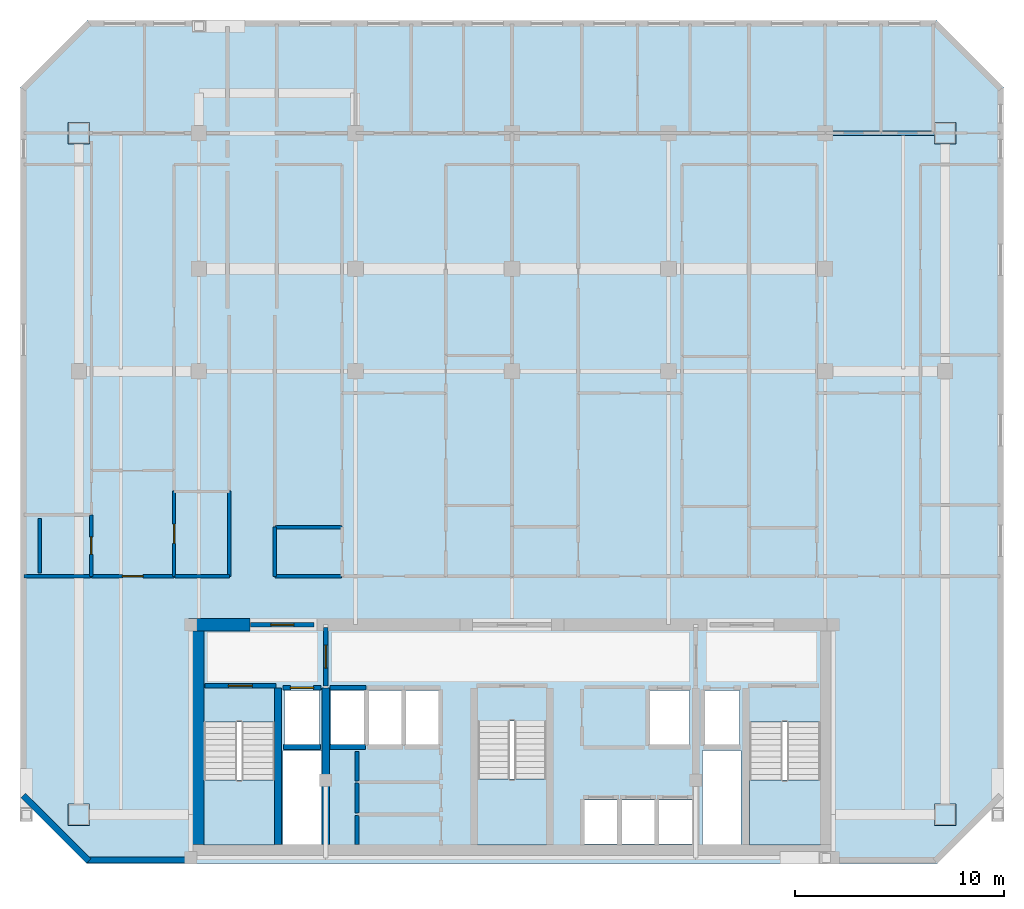
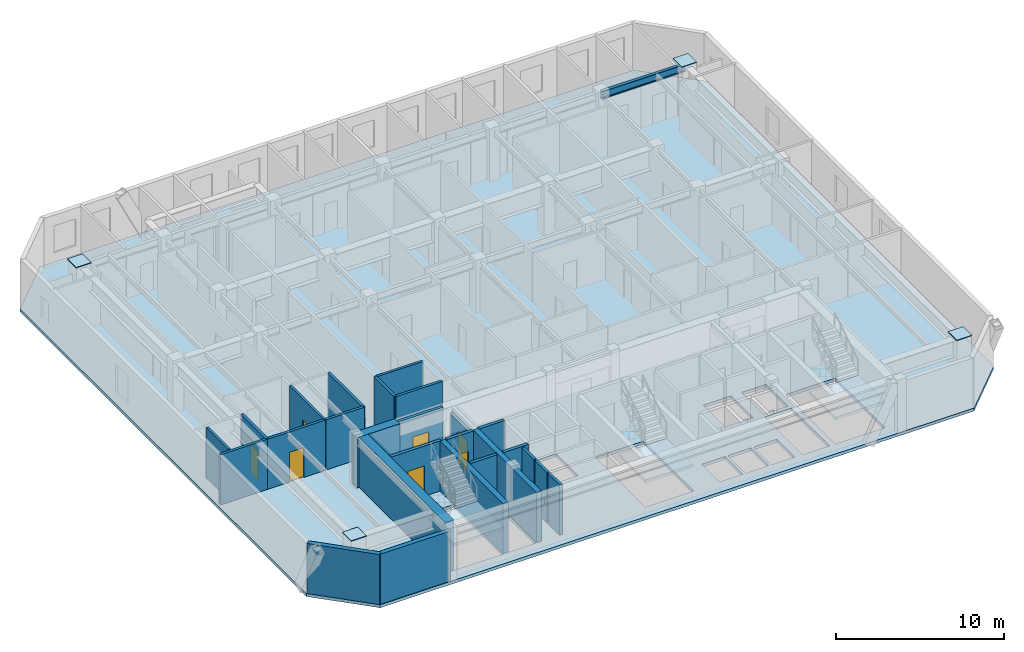
# One storey, part 2 of 9: 26 walls, 7 doors, 4 plates, 4 slabs, 1 beam, 7 openings, 3 elements without a shape of their own.
"""IFC4 building model written with IfcOpenShell, lengths in metres."""

from ifc_helpers import new_model, si_unit, direction, frame, frame_2d, origin, origin_2d, place, context, subcontext, project, spatial, polyline, rectangle, i_section, outline, extrude, material, layer, layer_set, material_profile, profile_set, type_object, element, fill, aggregate, save


model = new_model("IFC4")

# Units and contexts
model_context = context("Model", 3, precision=1e-05, world=origin(), true_north=direction((0.0, 1.0)))
body_context = subcontext(model_context, "Body", "Model", "MODEL_VIEW")
ifc_project = project(units=[si_unit("LENGTHUNIT", "METRE"), si_unit("AREAUNIT", "SQUARE_METRE"), si_unit("VOLUMEUNIT", "CUBIC_METRE"), si_unit("PLANEANGLEUNIT", "RADIAN"), si_unit("MASSUNIT", "GRAM", prefix="KILO")], contexts=[model_context])

# Site, building, storey
site_placement = place(None, origin())
site = spatial("IfcSite", under=ifc_project, at=site_placement, CompositionType="ELEMENT")
building_placement = place(site_placement, origin())
building = spatial("IfcBuilding", under=site, at=building_placement, Name="Ventersveld Concourse Tower", CompositionType="ELEMENT")
storey_placement = place(building_placement, frame((0.0, 0.0, 215.699951171875)))
storey = spatial("IfcBuildingStorey", under=building, at=storey_placement, Name="L53", CompositionType="ELEMENT", Elevation=215.699951171875)

# Beam
ifc_material_1 = material(Name="Structural steel S355J2", Category="steel")
ifc_material_profile = material_profile(ifc_material_1, i_section(OverallWidth=0.2119140625, OverallDepth=0.54443359375, WebThickness=0.0126953125, FlangeThickness=0.021240234375, FilletRadius=0.0126953125, at=origin_2d()), Name="UB 533x210x122")
ifc_profile_set = profile_set([ifc_material_profile], Name="Structural steel S355J2")
beam_type = type_object("IfcBeamType", Name="GRD-UB533H", PredefinedType="T_BEAM", material=ifc_profile_set)
beam_placement = place(storey_placement, frame((43.75, 35.0, 3.357666015625), z_axis=(1.0, 0.0, 0.0), x_axis=(0.0, 1.0, 0.0)))
element("IfcBeam", 1, at=beam_placement, inside=storey, type_object=beam_type, Name="L53 E-W Grid Girder Y=35.00 #6", PredefinedType="T_BEAM", context=body_context, shape_type="SweptSolid", body=[
    extrude(i_section(OverallWidth=0.2119140625, OverallDepth=0.54443359375, WebThickness=0.0126953125, FlangeThickness=0.021240234375, FilletRadius=0.0126953125, at=origin_2d()), origin(), (0.0, 0.0, 1.0), 5.75),
])

# Plates
ifc_layer_1 = layer(ifc_material_1, 0.050048828125)
ifc_layer_set_1 = layer_set([ifc_layer_1], Name="Structural steel S355J2")
plate_type = type_object("IfcPlateType", Name="PL-MAST-BASE-50", PredefinedType="USERDEFINED", material=ifc_layer_set_1)
for number, where, z_axis, x_axis, name in (
    (2, (8.0, 2.35009765625, 3.7998046875), (0.0, 0.0, 1.0), (1.0, 0.0, 0.0), "L53 Hollow Column Steel End Cap Plate 023"),
    (3, (49.5, 2.35009765625, 3.7998046875), (0.0, 0.0, 1.0), (1.0, 0.0, 0.0), "L53 Hollow Column Steel End Cap Plate 024"),
    (4, (49.5, 35.0, 3.7998046875), (0.0, 0.0, 1.0), (1.0, 0.0, 0.0), "L53 Hollow Column Steel End Cap Plate 025"),
    (5, (8.0, 35.0, 3.7998046875), (0.0, 0.0, 1.0), (1.0, 0.0, 0.0), "L53 Hollow Column Steel End Cap Plate 026"),
):
    element("IfcPlate", number, at=place(storey_placement, frame(where, z_axis=z_axis, x_axis=x_axis)), inside=storey, type_object=plate_type, Name=name, ObjectType="GUSSET_PLATE", PredefinedType="USERDEFINED", context=body_context, shape_type="SweptSolid", body=[
        extrude(rectangle(XDim=1.0400390625, YDim=1.0400390625, at=origin_2d()), origin(), (0.0, 0.0, 1.0), 0.050048828125),
    ])

# Slab
ifc_material_2 = material(Name="Concrete C50/60", Category="concrete")
ifc_layer_2 = layer(ifc_material_2, 0.219970703125)
ifc_layer_set_2 = layer_set([ifc_layer_2], Name="Concrete C50/60")
slab_type_1 = type_object("IfcSlabType", Name="SL-FLR-220", PredefinedType="FLOOR", material=ifc_layer_set_2)
slab_1_placement = place(storey_placement, frame((0.0, 0.0, -0.219970703125)))
element("IfcSlab", 6, at=slab_1_placement, inside=storey, type_object=slab_type_1, Name="L53 Composite Floor Slab", PredefinedType="FLOOR", context=body_context, shape_type="SweptSolid", body=[
    extrude(outline(polyline([(8.39990234375, 0.0), (49.10009765625, 0.0), (52.300048828125, 3.199951171875), (52.300048828125, 37.199951171875), (49.10009765625, 40.39990234375), (8.39990234375, 40.39990234375), (5.199951171875, 37.199951171875), (5.199951171875, 3.199951171875), (8.39990234375, 0.0)]), holes=[polyline([(13.97998046875, 6.794921875), (13.97998046875, 0.89990234375), (17.3798828125, 0.89990234375), (17.3798828125, 6.794921875), (13.97998046875, 6.794921875)]), polyline([(40.1201171875, 6.794921875), (40.1201171875, 0.89990234375), (43.52001953125, 0.89990234375), (43.52001953125, 6.794921875), (40.1201171875, 6.794921875)]), polyline([(27.10009765625, 6.844970703125), (27.10009765625, 0.89990234375), (30.39990234375, 0.89990234375), (30.39990234375, 6.844970703125), (27.10009765625, 6.844970703125)]), polyline([(17.85009765625, 5.699951171875), (19.530029296875, 5.699951171875), (19.530029296875, 8.300048828125), (17.85009765625, 8.300048828125), (17.85009765625, 5.699951171875)]), polyline([(37.969970703125, 5.699951171875), (39.64990234375, 5.699951171875), (39.64990234375, 8.300048828125), (37.969970703125, 8.300048828125), (37.969970703125, 5.699951171875)]), polyline([(35.35009765625, 5.699951171875), (37.25, 5.699951171875), (37.25, 8.300048828125), (35.35009765625, 8.300048828125), (35.35009765625, 5.699951171875)]), polyline([(32.2099609375, 0.949951171875), (33.81005859375, 0.949951171875), (33.81005859375, 3.050048828125), (32.2099609375, 3.050048828125), (32.2099609375, 0.949951171875)]), polyline([(33.989990234375, 0.949951171875), (35.590087890625, 0.949951171875), (35.590087890625, 3.050048828125), (33.989990234375, 3.050048828125), (33.989990234375, 0.949951171875)]), polyline([(35.77001953125, 0.949951171875), (37.3701171875, 0.949951171875), (37.3701171875, 3.050048828125), (35.77001953125, 3.050048828125), (35.77001953125, 0.949951171875)]), polyline([(20.090087890625, 5.699951171875), (21.68994140625, 5.699951171875), (21.68994140625, 8.300048828125), (20.090087890625, 8.300048828125), (20.090087890625, 5.699951171875)]), polyline([(21.8701171875, 5.699951171875), (23.469970703125, 5.699951171875), (23.469970703125, 8.300048828125), (21.8701171875, 8.300048828125), (21.8701171875, 5.699951171875)]), polyline([(23.64990234375, 5.699951171875), (25.25, 5.699951171875), (25.25, 8.300048828125), (23.64990234375, 8.300048828125), (23.64990234375, 5.699951171875)]), polyline([(17.780029296875, 0.919921875), (19.6201171875, 0.919921875), (19.6201171875, 5.419921875), (17.780029296875, 5.419921875), (17.780029296875, 0.919921875)]), polyline([(37.8798828125, 0.919921875), (39.719970703125, 0.919921875), (39.719970703125, 5.419921875), (37.8798828125, 5.419921875), (37.8798828125, 0.919921875)])]), origin(), (0.0, 0.0, 1.0), 0.219970703125),
])

# Stair, slab
stair_type_1 = type_object("IfcStairType", Name="ST-DOG-160", PredefinedType="HALF_TURN_STAIR", material=ifc_material_2)
stair_1_placement = place(storey_placement, origin())
stair_1 = element("IfcStair", 7, at=stair_1_placement, inside=storey, type_object=stair_type_1, Name="L53 Protected Tower Escape Stair ST-01", PredefinedType="HALF_TURN_STAIR")
ifc_layer_3 = layer(ifc_material_2, 0.199951171875)
ifc_layer_set_3 = layer_set([ifc_layer_3], Name="Concrete C50/60")
slab_type_2 = type_object("IfcSlabType", Name="SL-LND-200", PredefinedType="LANDING", material=ifc_layer_set_3)
slab_2_placement = place(storey_placement, frame((0.0, 0.0, 1.72509765625)))
slab_2 = element("IfcSlab", 8, at=slab_2_placement, type_object=slab_type_2, Name="ST-01 landing 1", PredefinedType="LANDING", context=body_context, shape_type="SweptSolid", body=[
    extrude(outline(polyline([(13.97998046875, 4.0), (13.97998046875, 0.89990234375), (17.3798828125, 0.89990234375), (17.3798828125, 4.0), (13.97998046875, 4.0)])), origin(), (0.0, 0.0, 1.0), 0.199951171875),
])
aggregate(stair_1, [slab_2])

stair_2_placement = place(storey_placement, origin())
stair_2 = element("IfcStair", 9, at=stair_2_placement, inside=storey, type_object=stair_type_1, Name="L53 Protected Tower Escape Stair ST-02", PredefinedType="HALF_TURN_STAIR")
slab_3_placement = place(storey_placement, frame((0.0, 0.0, 1.72509765625)))
slab_3 = element("IfcSlab", 10, at=slab_3_placement, type_object=slab_type_2, Name="ST-02 landing 1", PredefinedType="LANDING", context=body_context, shape_type="SweptSolid", body=[
    extrude(outline(polyline([(40.1201171875, 4.0), (40.1201171875, 0.89990234375), (43.52001953125, 0.89990234375), (43.52001953125, 4.0), (40.1201171875, 4.0)])), origin(), (0.0, 0.0, 1.0), 0.199951171875),
])
aggregate(stair_2, [slab_3])

stair_type_2 = type_object("IfcStairType", Name="ST-DOG-155", PredefinedType="HALF_TURN_STAIR", material=ifc_material_2)
stair_3_placement = place(storey_placement, origin())
stair_3 = element("IfcStair", 11, at=stair_3_placement, inside=storey, type_object=stair_type_2, Name="L53 Protected Central Core Escape Stair ST-03", PredefinedType="HALF_TURN_STAIR")
slab_4_placement = place(storey_placement, frame((0.0, 0.0, 1.72509765625)))
slab_4 = element("IfcSlab", 12, at=slab_4_placement, type_object=slab_type_2, Name="ST-03 landing 1", PredefinedType="LANDING", context=body_context, shape_type="SweptSolid", body=[
    extrude(outline(polyline([(27.10009765625, 4.050048828125), (27.10009765625, 0.89990234375), (30.39990234375, 0.89990234375), (30.39990234375, 4.050048828125), (27.10009765625, 4.050048828125)])), origin(), (0.0, 0.0, 1.0), 0.199951171875),
])
aggregate(stair_3, [slab_4])

# Walls
ifc_layer_4 = layer(ifc_material_2, 0.35009765625)
ifc_layer_set_4 = layer_set([ifc_layer_4], Name="Concrete C50/60")
wall_type_1 = type_object("IfcWallType", Name="WL-CORE-350U", PredefinedType="SHEAR", material=ifc_layer_set_4)
for number, where, z_axis, x_axis, name in (
    (13, (17.5400390625, 0.919921875, 0.0), (0.0, 0.0, 1.0), (0.0, 1.0, 0.0), "L53 Core Internal Shear Web W-ST1-E"),
    (14, (19.820068359375, 0.919921875, 0.0), (0.0, 0.0, 1.0), (0.0, 1.0, 0.0), "L53 Core Internal Shear Web W-FF1-E"),
):
    element("IfcWall", number, at=place(storey_placement, frame(where, z_axis=z_axis, x_axis=x_axis)), inside=storey, type_object=wall_type_1, Name=name, PredefinedType="SHEAR", context=body_context, shape_type="SweptSolid", body=[
        extrude(rectangle(XDim=7.5, YDim=0.35009765625, at=frame_2d((3.75, 0.0))), origin(), (0.0, 0.0, 1.0), 3.630126953125),
    ])
ifc_layer_5 = layer(ifc_material_2, 0.60009765625)
ifc_layer_set_5 = layer_set([ifc_layer_5], Name="Concrete C50/60")
wall_type_2 = type_object("IfcWallType", Name="WL-CORE-600", PredefinedType="SHEAR", material=ifc_layer_set_5)
wall_1_placement = place(storey_placement, frame((13.699951171875, 0.919921875, 0.0), z_axis=(0.0, 0.0, 1.0), x_axis=(0.0, 1.0, 0.0)))
element("IfcWall", 15, at=wall_1_placement, inside=storey, type_object=wall_type_2, Name="L53 Rear Core West Shear Wall", PredefinedType="SHEAR", context=body_context, shape_type="SweptSolid", body=[
    extrude(rectangle(XDim=10.530029296875, YDim=0.60009765625, at=frame_2d((5.26513671875, 0.0))), origin(), (0.0, 0.0, 1.0), 3.630126953125),
])
wall_2_placement = place(storey_placement, frame((13.25, 11.449951171875, 0.0), z_axis=(0.0, 0.0, 1.0), x_axis=(1.0, 0.0, 0.0)))
element("IfcWall", 16, at=wall_2_placement, inside=storey, type_object=wall_type_2, Name="L53 Rear Core North Shear Wall NW", PredefinedType="SHEAR", context=body_context, shape_type="SweptSolid", body=[
    extrude(rectangle(XDim=2.949951171875, YDim=0.60009765625, at=frame_2d((1.47509765625, 0.0))), origin(), (0.0, 0.0, 1.0), 3.630126953125),
])
ifc_material_3 = material(Name="Fire-rated autoclaved aerated masonry blockwork", Category="masonry")
ifc_layer_6 = layer(ifc_material_3, 0.179931640625)
ifc_layer_set_6 = layer_set([ifc_layer_6], Name="Fire-rated autoclaved aerated masonry blockwork")
wall_type_3 = type_object("IfcWallType", Name="WL-CORR-180", PredefinedType="PARTITIONING", material=ifc_layer_set_6)
wall_3_placement = place(storey_placement, frame((21.320068359375, 0.909912109375, 0.0), z_axis=(0.0, 0.0, 1.0), x_axis=(0.0, 1.0, 0.0)))
element("IfcWall", 17, at=wall_3_placement, inside=storey, type_object=wall_type_3, Name="L53 Core West Wall SP-L53-RECB1S", PredefinedType="PARTITIONING", context=body_context, shape_type="SweptSolid", body=[
    extrude(rectangle(XDim=1.41015625, YDim=0.179931640625, at=frame_2d((0.705078125, 0.0))), origin(), (0.0, 0.0, 1.0), 3.630126953125),
])
wall_4_placement = place(storey_placement, frame((21.320068359375, 2.419921875, 0.0), z_axis=(0.0, 0.0, 1.0), x_axis=(0.0, 1.0, 0.0)))
element("IfcWall", 18, at=wall_4_placement, inside=storey, type_object=wall_type_3, Name="L53 Core West Wall SP-L53-RECB1M", PredefinedType="PARTITIONING", context=body_context, shape_type="SweptSolid", body=[
    extrude(rectangle(XDim=1.440185546875, YDim=0.179931640625, at=frame_2d((0.72021484375, 0.0))), origin(), (0.0, 0.0, 1.0), 3.630126953125),
])
wall_5_placement = place(storey_placement, frame((21.320068359375, 3.9599609375, 0.0), z_axis=(0.0, 0.0, 1.0), x_axis=(0.0, 1.0, 0.0)))
element("IfcWall", 19, at=wall_5_placement, inside=storey, type_object=wall_type_3, Name="L53 Core West Wall SP-L53-RECB1N", PredefinedType="PARTITIONING", context=body_context, shape_type="SweptSolid", body=[
    extrude(rectangle(XDim=1.419921875, YDim=0.179931640625, at=frame_2d((0.7099609375, 0.0))), origin(), (0.0, 0.0, 1.0), 3.630126953125),
])

# Wall, opening, door
wall_6_placement = place(storey_placement, frame((8.59765625, 13.77001953125, 0.0), z_axis=(0.0, 0.0, 1.0), x_axis=(1.0, 0.0, 0.0)))
wall_6 = element("IfcWall", 20, at=wall_6_placement, inside=storey, type_object=wall_type_3, Name="L53 Interior Partition SP-L53-COR-SP-L53-53NW-FOY", PredefinedType="PARTITIONING", context=body_context, shape_type="SweptSolid", body=[
    extrude(rectangle(XDim=3.969970703125, YDim=0.179931640625, at=frame_2d((1.98486328125, 0.0))), origin(), (0.0, 0.0, 1.0), 3.630126953125),
])
opening_1_placement = place(wall_6_placement, frame((1.485107421875, 0.0, 0.0)))
opening_1 = element("IfcOpeningElement", 21, at=opening_1_placement, cuts=wall_6, Name="Opening FD3", PredefinedType="OPENING", context=body_context, shape_type="SweptSolid", body=[
    extrude(rectangle(XDim=1.0, YDim=2.14990234375, at=frame_2d((0.5, 1.074951171875))), frame((0.0, 0.10009765625, 0.0), z_axis=(0.0, -1.0, 0.0), x_axis=(1.0, 0.0, 0.0)), (0.0, 0.0, 1.0), 0.199951171875),
])
ifc_material_4 = material(Name="Solid-core hardwood veneer timber", Category="wood")
door_type_1 = type_object("IfcDoorType", Name="DR-FLAT-100", OperationType="NOTDEFINED", PredefinedType="DOOR", material=ifc_material_4)
door_1_placement = place(opening_1_placement, origin())
door_1 = element("IfcDoor", 22, at=door_1_placement, inside=storey, type_object=door_type_1, Name="L53 Interior Door SP-L53-COR to SP-L53-53NW-FOY (FD-L53-2565)", OperationType="SINGLE_SWING_LEFT", OverallHeight=2.14990234375, OverallWidth=1.0, PredefinedType="DOOR", context=body_context, shape_type="SweptSolid", body=[
    extrude(rectangle(XDim=1.0, YDim=2.14990234375, at=frame_2d((0.5, 1.074951171875))), frame((0.0, 0.02490234375, 0.0), z_axis=(0.0, -1.0, 0.0), x_axis=(1.0, 0.0, 0.0)), (0.0, 0.0, 1.0), 0.050048828125),
])
fill(opening_1, door_1)

# Walls
wall_7_placement = place(storey_placement, frame((5.37255859375, 13.77001953125, 0.0), z_axis=(0.0, 0.0, 1.0), x_axis=(1.0, 0.0, 0.0)))
element("IfcWall", 23, at=wall_7_placement, inside=storey, type_object=wall_type_3, Name="L53 Interior Partition SP-L53-COR-SP-L53-53NW-BATH", PredefinedType="PARTITIONING", context=body_context, shape_type="SweptSolid", body=[
    extrude(rectangle(XDim=3.195068359375, YDim=0.179931640625, at=frame_2d((1.59765625, 0.0))), origin(), (0.0, 0.0, 1.0), 3.630126953125),
])
wall_8_placement = place(storey_placement, frame((15.2099609375, 13.764892578125, 0.0), z_axis=(0.0, 0.0, 1.0), x_axis=(0.0, 1.0, 0.0)))
element("IfcWall", 24, at=wall_8_placement, inside=storey, type_object=wall_type_3, Name="L53 Interior Partition SP-L53-COR-SP-L53-53NW-KIT", PredefinedType="PARTITIONING", context=body_context, shape_type="SweptSolid", body=[
    extrude(rectangle(XDim=4.080810546875, YDim=0.179931640625, at=frame_2d((2.04052734375, 0.0))), origin(), (0.0, 0.0, 1.0), 3.630126953125),
])
wall_9_placement = place(storey_placement, frame((12.59765625, 13.77001953125, 0.0), z_axis=(0.0, 0.0, 1.0), x_axis=(1.0, 0.0, 0.0)))
element("IfcWall", 25, at=wall_9_placement, inside=storey, type_object=wall_type_3, Name="L53 Interior Partition SP-L53-COR-SP-L53-53NW-KIT", PredefinedType="PARTITIONING", context=body_context, shape_type="SweptSolid", body=[
    extrude(rectangle(XDim=2.617431640625, YDim=0.179931640625, at=frame_2d((1.30859375, 0.0))), origin(), (0.0, 0.0, 1.0), 3.630126953125),
])
wall_10_placement = place(storey_placement, frame((17.385009765625, 13.77001953125, 0.0), z_axis=(0.0, 0.0, 1.0), x_axis=(1.0, 0.0, 0.0)))
element("IfcWall", 26, at=wall_10_placement, inside=storey, type_object=wall_type_3, Name="L53 Interior Partition SP-L53-COR-SP-L53-53N1-BATH", PredefinedType="PARTITIONING", context=body_context, shape_type="SweptSolid", body=[
    extrude(rectangle(XDim=3.19189453125, YDim=0.179931640625, at=frame_2d((1.595947265625, 0.0))), origin(), (0.0, 0.0, 1.0), 3.630126953125),
])
wall_11_placement = place(storey_placement, frame((17.389892578125, 13.764892578125, 0.0), z_axis=(0.0, 0.0, 1.0), x_axis=(0.0, 1.0, 0.0)))
element("IfcWall", 27, at=wall_11_placement, inside=storey, type_object=wall_type_3, Name="L53 Interior Partition SP-L53-COR-SP-L53-53N1-BATH", PredefinedType="PARTITIONING", context=body_context, shape_type="SweptSolid", body=[
    extrude(rectangle(XDim=2.35986328125, YDim=0.179931640625, at=frame_2d((1.179931640625, 0.0))), origin(), (0.0, 0.0, 1.0), 3.630126953125),
])
ifc_layer_7 = layer(ifc_material_3, 0.219970703125)
ifc_layer_set_7 = layer_set([ifc_layer_7], Name="Fire-rated autoclaved aerated masonry blockwork")
wall_type_4 = type_object("IfcWallType", Name="WL-HOIST-220", PredefinedType="SOLIDWALL", material=ifc_layer_set_7)
wall_12_placement = place(storey_placement, frame((17.800048828125, 5.590087890625, 0.0), z_axis=(0.0, 0.0, 1.0), x_axis=(1.0, 0.0, 0.0)))
element("IfcWall", 28, at=wall_12_placement, inside=storey, type_object=wall_type_4, Name="L53 Lift Hoistway Back Wall FFL-01", PredefinedType="SOLIDWALL", context=body_context, shape_type="SweptSolid", body=[
    extrude(rectangle(XDim=1.780029296875, YDim=0.219970703125, at=frame_2d((0.89013671875, 0.0))), origin(), (0.0, 0.0, 1.0), 3.630126953125),
])

# Wall, opening, door
wall_13_placement = place(storey_placement, frame((17.780029296875, 8.429931640625, 0.0), z_axis=(0.0, 0.0, 1.0), x_axis=(1.0, 0.0, 0.0)))
wall_13 = element("IfcWall", 29, at=wall_13_placement, inside=storey, type_object=wall_type_4, Name="L53 Lift Hoistway Front Wall FFL-01", PredefinedType="SOLIDWALL", context=body_context, shape_type="SweptSolid", body=[
    extrude(rectangle(XDim=1.820068359375, YDim=0.219970703125, at=frame_2d((0.91015625, 0.0))), origin(), (0.0, 0.0, 1.0), 3.630126953125),
])
opening_2_placement = place(wall_13_placement, frame((0.35009765625, 0.0, 0.0)))
opening_2 = element("IfcOpeningElement", 30, at=opening_2_placement, cuts=wall_13, Name="Opening LD1", PredefinedType="OPENING", context=body_context, shape_type="SweptSolid", body=[
    extrude(rectangle(XDim=1.1201171875, YDim=2.25, at=frame_2d((0.56005859375, 1.125))), frame((0.0, 0.1201171875, 0.0), z_axis=(0.0, -1.0, 0.0), x_axis=(1.0, 0.0, 0.0)), (0.0, 0.0, 1.0), 0.239990234375),
])
ifc_material_5 = material(Name="Brushed stainless steel 316", Category="steel")
door_type_2 = type_object("IfcDoorType", Name="LD-FF-112", OperationType="SLIDING_TO_LEFT", PredefinedType="DOOR", material=ifc_material_5)
door_2_placement = place(opening_2_placement, origin())
door_2 = element("IfcDoor", 31, at=door_2_placement, inside=storey, type_object=door_type_2, Name="L53 Lift landing door FFL-01 (LD-L53-FFL-01)", OperationType="SLIDING_TO_LEFT", OverallHeight=2.25, OverallWidth=1.1201171875, PredefinedType="DOOR", context=body_context, shape_type="SweptSolid", body=[
    extrude(rectangle(XDim=1.1201171875, YDim=2.25, at=frame_2d((0.56005859375, 1.125))), frame((0.0, 0.02490234375, 0.0), z_axis=(0.0, -1.0, 0.0), x_axis=(1.0, 0.0, 0.0)), (0.0, 0.0, 1.0), 0.050048828125),
])
fill(opening_2, door_2)

# Walls
wall_14_placement = place(storey_placement, frame((20.0400390625, 5.590087890625, 0.0), z_axis=(0.0, 0.0, 1.0), x_axis=(1.0, 0.0, 0.0)))
element("IfcWall", 32, at=wall_14_placement, inside=storey, type_object=wall_type_4, Name="L53 Lift Hoistway Back Wall PH-01", PredefinedType="SOLIDWALL", context=body_context, shape_type="SweptSolid", body=[
    extrude(rectangle(XDim=1.699951171875, YDim=0.219970703125, at=frame_2d((0.85009765625, 0.0))), origin(), (0.0, 0.0, 1.0), 3.630126953125),
])
wall_15_placement = place(storey_placement, frame((20.02001953125, 8.429931640625, 0.0), z_axis=(0.0, 0.0, 1.0), x_axis=(1.0, 0.0, 0.0)))
element("IfcWall", 33, at=wall_15_placement, inside=storey, type_object=wall_type_4, Name="L53 Lift Hoistway Front Wall PH-01", PredefinedType="SOLIDWALL", context=body_context, shape_type="SweptSolid", body=[
    extrude(rectangle(XDim=1.739990234375, YDim=0.219970703125, at=frame_2d((0.8701171875, 0.0))), origin(), (0.0, 0.0, 1.0), 3.630126953125),
])

# Wall, opening, door
wall_16_placement = place(storey_placement, frame((14.0400390625, 8.52001953125, 0.0), z_axis=(0.0, 0.0, 1.0), x_axis=(1.0, 0.0, 0.0)))
wall_16 = element("IfcWall", 34, at=wall_16_placement, inside=storey, type_object=wall_type_4, Name="L53 Escape Stair ST01 Fire Wall", PredefinedType="SOLIDWALL", context=body_context, shape_type="SweptSolid", body=[
    extrude(rectangle(XDim=3.39990234375, YDim=0.219970703125, at=frame_2d((1.699951171875, 0.0))), origin(), (0.0, 0.0, 1.0), 3.630126953125),
])
opening_3_placement = place(wall_16_placement, frame((1.125, 0.0, 0.0)))
opening_3 = element("IfcOpeningElement", 35, at=opening_3_placement, cuts=wall_16, Name="Opening FD1", PredefinedType="OPENING", context=body_context, shape_type="SweptSolid", body=[
    extrude(rectangle(XDim=1.14990234375, YDim=2.199951171875, at=frame_2d((0.574951171875, 1.10009765625))), frame((0.0, 0.1201171875, 0.0), z_axis=(0.0, -1.0, 0.0), x_axis=(1.0, 0.0, 0.0)), (0.0, 0.0, 1.0), 0.239990234375),
])
ifc_material_6 = material(Name="Galvanised painted steel", Category="steel")
door_type_3 = type_object("IfcDoorType", Name="DR-STAIR-115", OperationType="NOTDEFINED", PredefinedType="DOOR", material=ifc_material_6)
door_3_placement = place(opening_3_placement, origin())
door_3 = element("IfcDoor", 36, at=door_3_placement, inside=storey, type_object=door_type_3, Name="L53 Escape Stair Door ST01 (SD-L53-2553)", OperationType="SINGLE_SWING_LEFT", OverallHeight=2.199951171875, OverallWidth=1.14990234375, PredefinedType="DOOR", context=body_context, shape_type="SweptSolid", body=[
    extrude(rectangle(XDim=1.14990234375, YDim=2.199951171875, at=frame_2d((0.574951171875, 1.10009765625))), frame((0.0, 0.02490234375, 0.0), z_axis=(0.0, -1.0, 0.0), x_axis=(1.0, 0.0, 0.0)), (0.0, 0.0, 1.0), 0.050048828125),
])
fill(opening_3, door_3)

wall_17_placement = place(storey_placement, frame((19.820068359375, 8.52001953125, 0.0), z_axis=(0.0, 0.0, 1.0), x_axis=(0.0, 1.0, 0.0)))
wall_17 = element("IfcWall", 37, at=wall_17_placement, inside=storey, type_object=wall_type_4, Name="L53 Firefighting Lobby Smoke-Stop Wall FFLW-SEP", PredefinedType="SOLIDWALL", context=body_context, shape_type="SweptSolid", body=[
    extrude(rectangle(XDim=2.800048828125, YDim=0.219970703125, at=frame_2d((1.39990234375, 0.0))), origin(), (0.0, 0.0, 1.0), 3.08544921875),
])
opening_4_placement = place(wall_17_placement, frame((0.85009765625, 0.0, 0.0)))
opening_4 = element("IfcOpeningElement", 38, at=opening_4_placement, cuts=wall_17, Name="Opening FD2", PredefinedType="OPENING", context=body_context, shape_type="SweptSolid", body=[
    extrude(rectangle(XDim=1.10009765625, YDim=2.199951171875, at=frame_2d((0.550048828125, 1.10009765625))), frame((0.0, 0.1201171875, 0.0), z_axis=(0.0, -1.0, 0.0), x_axis=(1.0, 0.0, 0.0)), (0.0, 0.0, 1.0), 0.239990234375),
])
door_type_4 = type_object("IfcDoorType", Name="DR-FFL-110", OperationType="NOTDEFINED", PredefinedType="DOOR", material=ifc_material_6)
door_4_placement = place(opening_4_placement, origin())
door_4 = element("IfcDoor", 39, at=door_4_placement, inside=storey, type_object=door_type_4, Name="L53 Firefighting Lobby Door FFLW-SEP (FD-L53-2556)", OperationType="SINGLE_SWING_LEFT", OverallHeight=2.199951171875, OverallWidth=1.10009765625, PredefinedType="DOOR", context=body_context, shape_type="SweptSolid", body=[
    extrude(rectangle(XDim=1.10009765625, YDim=2.199951171875, at=frame_2d((0.550048828125, 1.10009765625))), frame((0.0, 0.02490234375, 0.0), z_axis=(0.0, -1.0, 0.0), x_axis=(1.0, 0.0, 0.0)), (0.0, 0.0, 1.0), 0.050048828125),
])
fill(opening_4, door_4)

wall_18_placement = place(storey_placement, frame((16.22998046875, 11.449951171875, 0.0), z_axis=(0.0, 0.0, 1.0), x_axis=(1.0, 0.0, 0.0)))
wall_18 = element("IfcWall", 40, at=wall_18_placement, inside=storey, type_object=wall_type_4, Name="L53 Core North Fire Portal FFLW-OUT", PredefinedType="SOLIDWALL", context=body_context, shape_type="SweptSolid", body=[
    extrude(rectangle(XDim=3.0400390625, YDim=0.219970703125, at=frame_2d((1.52001953125, 0.0))), origin(), (0.0, 0.0, 1.0), 3.630126953125),
])
opening_5_placement = place(wall_18_placement, frame((0.969970703125, 0.0, 0.0)))
opening_5 = element("IfcOpeningElement", 41, at=opening_5_placement, cuts=wall_18, Name="Opening FD2", PredefinedType="OPENING", context=body_context, shape_type="SweptSolid", body=[
    extrude(rectangle(XDim=1.10009765625, YDim=2.199951171875, at=frame_2d((0.550048828125, 1.10009765625))), frame((0.0, 0.1201171875, 0.0), z_axis=(0.0, -1.0, 0.0), x_axis=(1.0, 0.0, 0.0)), (0.0, 0.0, 1.0), 0.239990234375),
])
door_5_placement = place(opening_5_placement, origin())
door_5 = element("IfcDoor", 42, at=door_5_placement, inside=storey, type_object=door_type_4, Name="L53 Core Lobby Fire Door FFLW-OUT (FD-L53-2558)", OperationType="SINGLE_SWING_RIGHT", OverallHeight=2.199951171875, OverallWidth=1.10009765625, PredefinedType="DOOR", context=body_context, shape_type="SweptSolid", body=[
    extrude(rectangle(XDim=1.10009765625, YDim=2.199951171875, at=frame_2d((0.550048828125, 1.10009765625))), frame((0.0, 0.02490234375, 0.0), z_axis=(0.0, -1.0, 0.0), x_axis=(1.0, 0.0, 0.0)), (0.0, 0.0, 1.0), 0.050048828125),
])
fill(opening_5, door_5)

ifc_material_7 = material(Name="Autoclaved aerated masonry blockwork", Category="masonry")
ifc_layer_8 = layer(ifc_material_7, 0.14990234375)
ifc_layer_set_8 = layer_set([ifc_layer_8], Name="Autoclaved aerated masonry blockwork")
wall_type_5 = type_object("IfcWallType", Name="WL-INT-150", PredefinedType="PARTITIONING", material=ifc_layer_set_8)
wall_19_placement = place(storey_placement, frame((12.5625, 13.764892578125, 0.0), z_axis=(0.0, 0.0, 1.0), x_axis=(0.0, 1.0, 0.0)))
wall_19 = element("IfcWall", 43, at=wall_19_placement, inside=storey, type_object=wall_type_5, Name="L53 Interior Partition SP-L53-53NW-FOY-SP-L53-53NW-KIT", PredefinedType="PARTITIONING", context=body_context, shape_type="SweptSolid", body=[
    extrude(rectangle(XDim=4.080810546875, YDim=0.14990234375, at=frame_2d((2.04052734375, 0.0))), origin(), (0.0, 0.0, 1.0), 3.630126953125),
])
opening_6_placement = place(wall_19_placement, frame((1.580322265625, 0.0, 0.0)))
opening_6 = element("IfcOpeningElement", 44, at=opening_6_placement, cuts=wall_19, Name="Opening ID1", PredefinedType="OPENING", context=body_context, shape_type="SweptSolid", body=[
    extrude(rectangle(XDim=0.919921875, YDim=2.10009765625, at=frame_2d((0.4599609375, 1.050048828125))), frame((0.0, 0.0849609375, 0.0), z_axis=(0.0, -1.0, 0.0), x_axis=(1.0, 0.0, 0.0)), (0.0, 0.0, 1.0), 0.169921875),
])
door_type_5 = type_object("IfcDoorType", Name="DR-ROOM-092", OperationType="NOTDEFINED", PredefinedType="DOOR", material=ifc_material_4)
door_6_placement = place(opening_6_placement, origin())
door_6 = element("IfcDoor", 45, at=door_6_placement, inside=storey, type_object=door_type_5, Name="L53 Interior Door SP-L53-53NW-FOY to SP-L53-53NW-KIT (D-L53-2572)", OperationType="SINGLE_SWING_RIGHT", OverallHeight=2.10009765625, OverallWidth=0.919921875, PredefinedType="DOOR", context=body_context, shape_type="SweptSolid", body=[
    extrude(rectangle(XDim=0.919921875, YDim=2.10009765625, at=frame_2d((0.4599609375, 1.050048828125))), frame((0.0, 0.02490234375, 0.0), z_axis=(0.0, -1.0, 0.0), x_axis=(1.0, 0.0, 0.0)), (0.0, 0.0, 1.0), 0.050048828125),
])
fill(opening_6, door_6)

# Walls
ifc_material_8 = material(Name="Precast concrete C45/55", Category="concrete")
ifc_layer_9 = layer(ifc_material_8, 0.300048828125)
ifc_layer_set_9 = layer_set([ifc_layer_9], Name="Precast concrete C45/55")
wall_type_6 = type_object("IfcWallType", Name="WL-PREC-300", PredefinedType="SOLIDWALL", material=ifc_layer_set_9)
wall_20_placement = place(storey_placement, frame((8.43994140625, 0.179931640625, 0.0), z_axis=(0.0, 0.0, 1.0), x_axis=(1.0, 0.0, 0.0)))
element("IfcWall", 46, at=wall_20_placement, inside=storey, type_object=wall_type_6, Name="L53 South-West Flank Precast Wall", PredefinedType="SOLIDWALL", context=body_context, shape_type="SweptSolid", body=[
    extrude(rectangle(XDim=4.81005859375, YDim=0.300048828125, at=frame_2d((2.405029296875, 0.0))), origin(), (0.0, 0.0, 1.0), 3.630126953125),
])
wall_21_placement = place(storey_placement, frame((5.33447265625, 3.27783203125, 0.0), z_axis=(0.0, 0.0, 1.0), x_axis=(0.707106781187, -0.707106781187, 0.0)))
element("IfcWall", 47, at=wall_21_placement, inside=storey, type_object=wall_type_6, Name="L53 Highveld Precast Facade Wall E08", PredefinedType="SOLIDWALL", context=body_context, shape_type="SweptSolid", body=[
    extrude(rectangle(XDim=4.4453125, YDim=0.300048828125, at=frame_2d((2.22265625, 0.0))), origin(), (0.0, 0.0, 1.0), 3.630126953125),
])

# Wall, opening, door
ifc_layer_10 = layer(ifc_material_7, 0.1650390625)
ifc_layer_set_10 = layer_set([ifc_layer_10], Name="Autoclaved aerated masonry blockwork")
wall_type_7 = type_object("IfcWallType", Name="WL-WET-165", PredefinedType="PLUMBINGWALL", material=ifc_layer_set_10)
wall_22_placement = place(storey_placement, frame((8.6025390625, 13.764892578125, 0.0), z_axis=(0.0, 0.0, 1.0), x_axis=(0.0, 1.0, 0.0)))
wall_22 = element("IfcWall", 48, at=wall_22_placement, inside=storey, type_object=wall_type_7, Name="L53 Interior Partition SP-L53-53NW-FOY-SP-L53-53NW-BATH", PredefinedType="PLUMBINGWALL", context=body_context, shape_type="SweptSolid", body=[
    extrude(rectangle(XDim=2.948486328125, YDim=0.1650390625, at=frame_2d((1.47412109375, 0.0))), origin(), (0.0, 0.0, 1.0), 3.630126953125),
])
opening_7_placement = place(wall_22_placement, frame((1.04931640625, 0.0, 0.0)))
opening_7 = element("IfcOpeningElement", 49, at=opening_7_placement, cuts=wall_22, Name="Opening ID2", PredefinedType="OPENING", context=body_context, shape_type="SweptSolid", body=[
    extrude(rectangle(XDim=0.85009765625, YDim=2.10009765625, at=frame_2d((0.425048828125, 1.050048828125))), frame((0.0, 0.092529296875, 0.0), z_axis=(0.0, -1.0, 0.0), x_axis=(1.0, 0.0, 0.0)), (0.0, 0.0, 1.0), 0.18505859375),
])
door_type_6 = type_object("IfcDoorType", Name="DR-BATH-085", OperationType="NOTDEFINED", PredefinedType="DOOR", material=ifc_material_4)
door_7_placement = place(opening_7_placement, origin())
door_7 = element("IfcDoor", 50, at=door_7_placement, inside=storey, type_object=door_type_6, Name="L53 Interior Door SP-L53-53NW-FOY to SP-L53-53NW-BATH (D-L53-2570)", OperationType="SINGLE_SWING_RIGHT", OverallHeight=2.10009765625, OverallWidth=0.85009765625, PredefinedType="DOOR", context=body_context, shape_type="SweptSolid", body=[
    extrude(rectangle(XDim=0.85009765625, YDim=2.10009765625, at=frame_2d((0.425048828125, 1.050048828125))), frame((0.0, 0.02490234375, 0.0), z_axis=(0.0, -1.0, 0.0), x_axis=(1.0, 0.0, 0.0)), (0.0, 0.0, 1.0), 0.050048828125),
])
fill(opening_7, door_7)

# Walls
wall_23_placement = place(storey_placement, frame((17.385009765625, 16.11962890625, 0.0), z_axis=(0.0, 0.0, 1.0), x_axis=(1.0, 0.0, 0.0)))
element("IfcWall", 51, at=wall_23_placement, inside=storey, type_object=wall_type_7, Name="L53 Interior Partition SP-L53-53N1-BATH-SP-L53-53N1-OFFL0", PredefinedType="PLUMBINGWALL", context=body_context, shape_type="SweptSolid", body=[
    extrude(rectangle(XDim=3.23193359375, YDim=0.1650390625, at=frame_2d((1.615966796875, 0.0))), origin(), (0.0, 0.0, 1.0), 3.630126953125),
])
wall_24_placement = place(storey_placement, frame((6.1201171875, 13.93505859375, 0.0), z_axis=(0.0, 0.0, 1.0), x_axis=(0.0, 1.0, 0.0)))
element("IfcWall", 52, at=wall_24_placement, inside=storey, type_object=wall_type_7, Name="L53 Room Enclosure Wall SP-L53-53NW-BATH", PredefinedType="PLUMBINGWALL", context=body_context, shape_type="SweptSolid", body=[
    extrude(rectangle(XDim=2.6083984375, YDim=0.1650390625, at=frame_2d((1.30419921875, 0.0))), origin(), (0.0, 0.0, 1.0), 3.630126953125),
])

save(model, "model.ifc")
